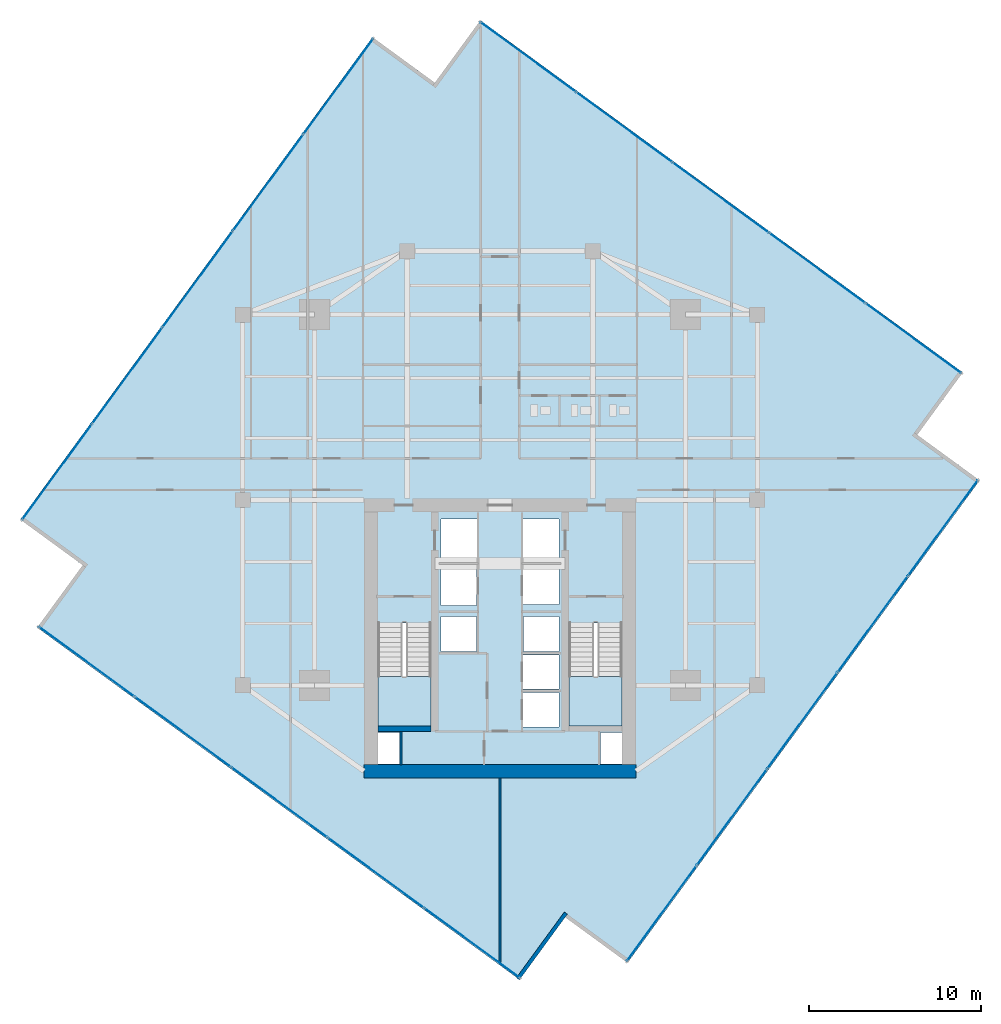
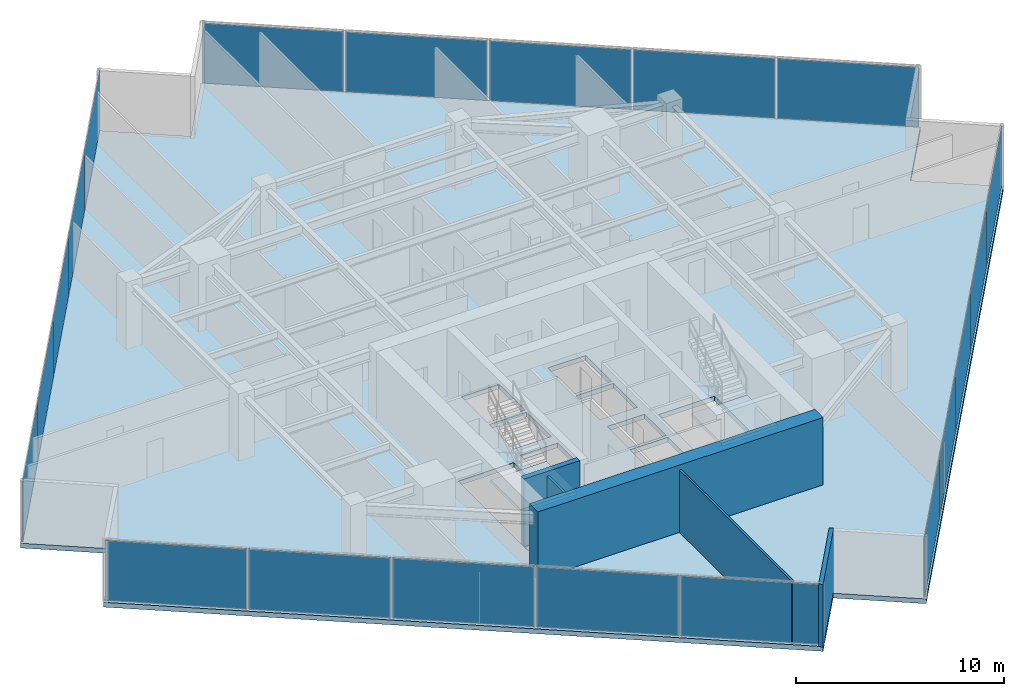
# One storey, part 20 of 25: 20 plates, 5 walls, 3 slabs, 6 elements without a shape of their own.
"""IFC4 building model written with IfcOpenShell, lengths in metres."""

from ifc_helpers import new_model, si_unit, direction, frame, frame_2d, origin, origin_2d, place, context, subcontext, project, spatial, polyline, rectangle, outline, extrude, source, transform, mapped, material, layer, layer_set, type_object, type_shapes, element, aggregate, save


model = new_model("IFC4")

# Units and contexts
model_context = context("Model", 3, precision=1e-05, world=origin(), true_north=direction((0.0, 1.0)))
body_context = subcontext(model_context, "Body", "Model", "MODEL_VIEW")
ifc_project = project(units=[si_unit("LENGTHUNIT", "METRE"), si_unit("AREAUNIT", "SQUARE_METRE"), si_unit("VOLUMEUNIT", "CUBIC_METRE"), si_unit("PLANEANGLEUNIT", "RADIAN"), si_unit("MASSUNIT", "GRAM", prefix="KILO")], contexts=[model_context])

# Site, building, storey
site_placement = place(None, origin())
site = spatial("IfcSite", under=ifc_project, at=site_placement, CompositionType="ELEMENT")
building_placement = place(site_placement, origin())
building = spatial("IfcBuilding", under=site, at=building_placement, Name="Krantzveldt Concourse Tower", CompositionType="ELEMENT")
storey_placement = place(building_placement, frame((0.0, 0.0, 193.60009765625)))
storey = spatial("IfcBuildingStorey", under=building, at=storey_placement, Name="L47", CompositionType="ELEMENT", Elevation=193.60009765625)

# Stair, slab
ifc_material_1 = material(Name="Precast concrete C40/50", Category="concrete")
stair_type = type_object("IfcStairType", Name="STR-CORE-DOGLEG", PredefinedType="HALF_TURN_STAIR", material=ifc_material_1)
stair_1_placement = place(storey_placement, origin())
stair_1 = element("IfcStair", 1, at=stair_1_placement, inside=storey, type_object=stair_type, Name="L47 Protected Escape Stair ST-1", PredefinedType="HALF_TURN_STAIR")
ifc_layer_1 = layer(ifc_material_1, 0.199951171875, Name="Precast concrete C40/50", Category="concrete")
ifc_layer_set_1 = layer_set([ifc_layer_1], Name="Precast concrete C40/50 (SL-LANDING-200)")
slab_type_1 = type_object("IfcSlabType", Name="SL-LANDING-200", PredefinedType="LANDING", material=ifc_layer_set_1)
slab_1_placement = place(storey_placement, frame((0.0, 0.0, 1.77490234375)))
slab_1 = element("IfcSlab", 2, at=slab_1_placement, type_object=slab_type_1, Name="ST-1 landing 1", PredefinedType="LANDING", context=body_context, shape_type="SweptSolid", body=[
    extrude(outline(polyline([(28.8798828125, 16.4150390625), (28.8798828125, 13.52001953125), (31.97998046875, 13.52001953125), (31.97998046875, 16.4150390625), (28.8798828125, 16.4150390625)])), origin(), (0.0, 0.0, 1.0), 0.199951171875),
])
aggregate(stair_1, [slab_1])

stair_2_placement = place(storey_placement, origin())
stair_2 = element("IfcStair", 3, at=stair_2_placement, inside=storey, type_object=stair_type, Name="L47 Protected Escape Stair ST-2", PredefinedType="HALF_TURN_STAIR")
slab_2_placement = place(storey_placement, frame((0.0, 0.0, 1.77490234375)))
slab_2 = element("IfcSlab", 4, at=slab_2_placement, type_object=slab_type_1, Name="ST-2 landing 1", PredefinedType="LANDING", context=body_context, shape_type="SweptSolid", body=[
    extrude(outline(polyline([(40.02001953125, 16.4150390625), (40.02001953125, 13.52001953125), (43.1201171875, 13.52001953125), (43.1201171875, 16.4150390625), (40.02001953125, 16.4150390625)])), origin(), (0.0, 0.0, 1.0), 0.199951171875),
])
aggregate(stair_2, [slab_2])

# Slab
ifc_material_2 = material(Name="Concrete C40/50", Category="concrete")
ifc_layer_2 = layer(ifc_material_2, 0.280029296875, Name="Concrete C40/50", Category="concrete")
ifc_layer_set_2 = layer_set([ifc_layer_2], Name="Concrete C40/50 (SL-SL-TWR280)")
slab_type_2 = type_object("IfcSlabType", Name="SL-SL-TWR280", PredefinedType="FLOOR", material=ifc_layer_set_2)
slab_3_placement = place(storey_placement, frame((0.0, 0.0, -0.280029296875)))
element("IfcSlab", 5, at=slab_3_placement, inside=storey, type_object=slab_type_2, Name="SL-L47-MAIN", PredefinedType="FLOOR", context=body_context, shape_type="SweptSolid", body=[
    extrude(outline(polyline([(32.20361328125, 51.0126953125), (28.56884765625, 53.665771484375), (8.052490234375, 25.556640625), (11.687255859375, 22.903564453125), (9.034423828125, 19.268798828125), (37.143310546875, -1.24755859375), (39.79638671875, 2.38720703125), (43.43115234375, -0.265625), (63.947509765625, 27.843505859375), (60.312744140625, 30.496337890625), (62.965576171875, 34.131103515625), (34.856689453125, 54.6474609375), (32.20361328125, 51.0126953125)]), holes=[polyline([(28.8798828125, 19.547607421875), (28.8798828125, 13.52001953125), (31.97998046875, 13.52001953125), (31.97998046875, 19.547607421875), (28.8798828125, 19.547607421875)]), polyline([(40.02001953125, 19.547607421875), (40.02001953125, 13.52001953125), (43.1201171875, 13.52001953125), (43.1201171875, 19.547607421875), (40.02001953125, 19.547607421875)]), polyline([(32.550048828125, 23.10009765625), (34.64990234375, 23.10009765625), (34.64990234375, 25.60009765625), (32.550048828125, 25.60009765625), (32.550048828125, 23.10009765625)]), polyline([(37.35009765625, 23.10009765625), (39.449951171875, 23.10009765625), (39.449951171875, 25.60009765625), (37.35009765625, 25.60009765625), (37.35009765625, 23.10009765625)]), polyline([(37.35009765625, 20.60009765625), (39.449951171875, 20.60009765625), (39.449951171875, 22.89990234375), (37.35009765625, 22.89990234375), (37.35009765625, 20.60009765625)]), polyline([(37.35009765625, 13.47998046875), (39.449951171875, 13.47998046875), (39.449951171875, 15.47998046875), (37.35009765625, 15.47998046875), (37.35009765625, 13.47998046875)]), polyline([(37.35009765625, 15.679931640625), (39.449951171875, 15.679931640625), (39.449951171875, 17.679931640625), (37.35009765625, 17.679931640625), (37.35009765625, 15.679931640625)]), polyline([(32.550048828125, 20.550048828125), (34.6201171875, 20.550048828125), (34.6201171875, 22.89990234375), (32.550048828125, 22.89990234375), (32.550048828125, 20.550048828125)]), polyline([(32.550048828125, 17.8798828125), (34.6201171875, 17.8798828125), (34.6201171875, 19.919921875), (32.550048828125, 19.919921875), (32.550048828125, 17.8798828125)]), polyline([(37.3798828125, 17.8798828125), (39.449951171875, 17.8798828125), (39.449951171875, 19.919921875), (37.3798828125, 19.919921875), (37.3798828125, 17.8798828125)]), polyline([(28.8798828125, 11.320068359375), (30.139892578125, 11.320068359375), (30.139892578125, 13.159912109375), (28.8798828125, 13.159912109375), (28.8798828125, 11.320068359375)]), polyline([(41.860107421875, 11.320068359375), (43.1201171875, 11.320068359375), (43.1201171875, 13.159912109375), (41.860107421875, 13.159912109375), (41.860107421875, 11.320068359375)])]), origin(), (0.0, 0.0, 1.0), 0.280029296875),
])

# Curtain wall, plates
ifc_material_3 = material(Name="Anodised aluminium 6063-T6", Category="aluminium")
curtain_wall_type = type_object("IfcCurtainWallType", Name="CW3", PredefinedType="USERDEFINED", material=ifc_material_3)
curtain_wall_1_placement = place(storey_placement, origin())
curtain_wall_1 = element("IfcCurtainWall", 6, at=curtain_wall_1_placement, inside=storey, type_object=curtain_wall_type, Name="CW-L47-F01", ObjectType="UNITISED CURTAIN WALL", PredefinedType="USERDEFINED")
ifc_material_4 = material(Name="Bronze-tinted laminated low-E IGU glass", Category="glass")
ifc_layer_3 = layer(ifc_material_4, 0.031982421875, Name="Bronze-tinted laminated low-E IGU glass", Category="glass")
ifc_layer_set_3 = layer_set([ifc_layer_3], Name="Bronze-tinted laminated low-E IGU glass (CW-GLZ-32)")
plate_type = type_object("IfcPlateType", Name="CW-GLZ-32", PredefinedType="CURTAIN_PANEL", material=ifc_layer_set_3)
shared_shape_1 = source(origin(), body_context, "Body", "SweptSolid", [
    extrude(rectangle(XDim=6.85498046875, YDim=0.031982421875, at=origin_2d()), origin(), (0.0, 0.0, 1.0), 3.530029296875),
])
plate_1_placement = place(storey_placement, frame((26.57958984375, 50.78759765625, 0.06982421875), z_axis=(0.0, 0.0, 1.0), x_axis=(-0.589548833895, -0.807732735781, 0.0)))
plate_1 = element("IfcPlate", 7, at=plate_1_placement, type_object=plate_type, Name="CW-Z34 panel 1.1", PredefinedType="CURTAIN_PANEL", context=body_context, shape_type="MappedRepresentation", body=[
    mapped(shared_shape_1, transform((0.0, 0.0, 0.0), x_axis=(1.0, 0.0, 0.0), y_axis=(0.0, 1.0, 0.0), z_axis=(0.0, 0.0, 1.0), scale=1.0)),
])
plate_2_placement = place(storey_placement, frame((10.187255859375, 28.32861328125, 0.06982421875), z_axis=(0.0, 0.0, 1.0), x_axis=(-0.589548833895, -0.807732735781, 0.0)))
plate_2 = element("IfcPlate", 8, at=plate_2_placement, type_object=plate_type, Name="CW-Z34 panel 5.1", PredefinedType="CURTAIN_PANEL", context=body_context, shape_type="MappedRepresentation", body=[
    mapped(shared_shape_1, transform((0.0, 0.0, 0.0), x_axis=(1.0, 0.0, 0.0), y_axis=(0.0, 1.0, 0.0), z_axis=(0.0, 0.0, 1.0), scale=1.0)),
])

curtain_wall_2_placement = place(storey_placement, origin())
curtain_wall_2 = element("IfcCurtainWall", 9, at=curtain_wall_2_placement, inside=storey, type_object=curtain_wall_type, Name="CW-L47-F04", ObjectType="UNITISED CURTAIN WALL", PredefinedType="USERDEFINED")
plate_3_placement = place(storey_placement, frame((11.912353515625, 17.279541015625, 0.06982421875), z_axis=(0.0, 0.0, 1.0), x_axis=(0.807732735781, -0.589548833895, 0.0)))
plate_3 = element("IfcPlate", 10, at=plate_3_placement, type_object=plate_type, Name="CW-Z34 panel 1.1", PredefinedType="CURTAIN_PANEL", context=body_context, shape_type="MappedRepresentation", body=[
    mapped(shared_shape_1, transform((0.0, 0.0, 0.0), x_axis=(1.0, 0.0, 0.0), y_axis=(0.0, 1.0, 0.0), z_axis=(0.0, 0.0, 1.0), scale=1.0)),
])
plate_4_placement = place(storey_placement, frame((34.371337890625, 0.88720703125, 0.06982421875), z_axis=(0.0, 0.0, 1.0), x_axis=(0.807732735781, -0.589548833895, 0.0)))
plate_4 = element("IfcPlate", 11, at=plate_4_placement, type_object=plate_type, Name="CW-Z34 panel 5.1", PredefinedType="CURTAIN_PANEL", context=body_context, shape_type="MappedRepresentation", body=[
    mapped(shared_shape_1, transform((0.0, 0.0, 0.0), x_axis=(1.0, 0.0, 0.0), y_axis=(0.0, 1.0, 0.0), z_axis=(0.0, 0.0, 1.0), scale=1.0)),
])

curtain_wall_3_placement = place(storey_placement, origin())
curtain_wall_3 = element("IfcCurtainWall", 12, at=curtain_wall_3_placement, inside=storey, type_object=curtain_wall_type, Name="CW-L47-F07", ObjectType="UNITISED CURTAIN WALL", PredefinedType="USERDEFINED")
plate_5_placement = place(storey_placement, frame((45.42041015625, 2.612548828125, 0.06982421875), z_axis=(0.0, 0.0, 1.0), x_axis=(0.589548833895, 0.807732735781, 0.0)))
plate_5 = element("IfcPlate", 13, at=plate_5_placement, type_object=plate_type, Name="CW-Z34 panel 1.1", PredefinedType="CURTAIN_PANEL", context=body_context, shape_type="MappedRepresentation", body=[
    mapped(shared_shape_1, transform((0.0, 0.0, 0.0), x_axis=(1.0, 0.0, 0.0), y_axis=(0.0, 1.0, 0.0), z_axis=(0.0, 0.0, 1.0), scale=1.0)),
])
plate_6_placement = place(storey_placement, frame((61.812744140625, 25.071533203125, 0.06982421875), z_axis=(0.0, 0.0, 1.0), x_axis=(0.589548833895, 0.807732735781, 0.0)))
plate_6 = element("IfcPlate", 14, at=plate_6_placement, type_object=plate_type, Name="CW-Z34 panel 5.1", PredefinedType="CURTAIN_PANEL", context=body_context, shape_type="MappedRepresentation", body=[
    mapped(shared_shape_1, transform((0.0, 0.0, 0.0), x_axis=(1.0, 0.0, 0.0), y_axis=(0.0, 1.0, 0.0), z_axis=(0.0, 0.0, 1.0), scale=1.0)),
])

curtain_wall_4_placement = place(storey_placement, origin())
curtain_wall_4 = element("IfcCurtainWall", 15, at=curtain_wall_4_placement, inside=storey, type_object=curtain_wall_type, Name="CW-L47-F10", ObjectType="UNITISED CURTAIN WALL", PredefinedType="USERDEFINED")
plate_7_placement = place(storey_placement, frame((60.087646484375, 36.120361328125, 0.06982421875), z_axis=(0.0, 0.0, 1.0), x_axis=(-0.807732735781, 0.589548833895, 0.0)))
plate_7 = element("IfcPlate", 16, at=plate_7_placement, type_object=plate_type, Name="CW-Z34 panel 1.1", PredefinedType="CURTAIN_PANEL", context=body_context, shape_type="MappedRepresentation", body=[
    mapped(shared_shape_1, transform((0.0, 0.0, 0.0), x_axis=(1.0, 0.0, 0.0), y_axis=(0.0, 1.0, 0.0), z_axis=(0.0, 0.0, 1.0), scale=1.0)),
])
plate_8_placement = place(storey_placement, frame((37.628662109375, 52.512939453125, 0.06982421875), z_axis=(0.0, 0.0, 1.0), x_axis=(-0.807732735781, 0.589548833895, 0.0)))
plate_8 = element("IfcPlate", 17, at=plate_8_placement, type_object=plate_type, Name="CW-Z34 panel 5.1", PredefinedType="CURTAIN_PANEL", context=body_context, shape_type="MappedRepresentation", body=[
    mapped(shared_shape_1, transform((0.0, 0.0, 0.0), x_axis=(1.0, 0.0, 0.0), y_axis=(0.0, 1.0, 0.0), z_axis=(0.0, 0.0, 1.0), scale=1.0)),
])

# Plate
shared_shape_2 = source(origin(), body_context, "Body", "SweptSolid", [
    extrude(rectangle(XDim=6.889892578125, YDim=0.031982421875, at=origin_2d()), origin(), (0.0, 0.0, 1.0), 3.530029296875),
])
type_shapes(plate_type, [shared_shape_1, shared_shape_2])
plate_9_placement = place(storey_placement, frame((22.486572265625, 45.179931640625, 0.06982421875), z_axis=(0.0, 0.0, 1.0), x_axis=(-0.589548833895, -0.807732735781, 0.0)))
plate_9 = element("IfcPlate", 18, at=plate_9_placement, type_object=plate_type, Name="CW-Z34 panel 2.1", PredefinedType="CURTAIN_PANEL", context=body_context, shape_type="MappedRepresentation", body=[
    mapped(shared_shape_2, transform((0.0, 0.0, 0.0), x_axis=(1.0, 0.0, 0.0), y_axis=(0.0, 1.0, 0.0), z_axis=(0.0, 0.0, 1.0), scale=1.0)),
])

plate_10_placement = place(storey_placement, frame((18.38330078125, 39.55810546875, 0.06982421875), z_axis=(0.0, 0.0, 1.0), x_axis=(-0.589548833895, -0.807732735781, 0.0)))
plate_10 = element("IfcPlate", 19, at=plate_10_placement, type_object=plate_type, Name="CW-Z34 panel 3.1", PredefinedType="CURTAIN_PANEL", context=body_context, shape_type="MappedRepresentation", body=[
    mapped(shared_shape_2, transform((0.0, 0.0, 0.0), x_axis=(1.0, 0.0, 0.0), y_axis=(0.0, 1.0, 0.0), z_axis=(0.0, 0.0, 1.0), scale=1.0)),
])

plate_11_placement = place(storey_placement, frame((14.280029296875, 33.936279296875, 0.06982421875), z_axis=(0.0, 0.0, 1.0), x_axis=(-0.589548833895, -0.807732735781, 0.0)))
plate_11 = element("IfcPlate", 20, at=plate_11_placement, type_object=plate_type, Name="CW-Z34 panel 4.1", PredefinedType="CURTAIN_PANEL", context=body_context, shape_type="MappedRepresentation", body=[
    mapped(shared_shape_2, transform((0.0, 0.0, 0.0), x_axis=(1.0, 0.0, 0.0), y_axis=(0.0, 1.0, 0.0), z_axis=(0.0, 0.0, 1.0), scale=1.0)),
])

aggregate(curtain_wall_1, [plate_1, plate_9, plate_10, plate_11, plate_2])

plate_12_placement = place(storey_placement, frame((17.52001953125, 13.1865234375, 0.06982421875), z_axis=(0.0, 0.0, 1.0), x_axis=(0.807732735781, -0.589548833895, 0.0)))
plate_12 = element("IfcPlate", 21, at=plate_12_placement, type_object=plate_type, Name="CW-Z34 panel 2.1", PredefinedType="CURTAIN_PANEL", context=body_context, shape_type="MappedRepresentation", body=[
    mapped(shared_shape_2, transform((0.0, 0.0, 0.0), x_axis=(1.0, 0.0, 0.0), y_axis=(0.0, 1.0, 0.0), z_axis=(0.0, 0.0, 1.0), scale=1.0)),
])

plate_13_placement = place(storey_placement, frame((23.141845703125, 9.083251953125, 0.06982421875), z_axis=(0.0, 0.0, 1.0), x_axis=(0.807732735781, -0.589548833895, 0.0)))
plate_13 = element("IfcPlate", 22, at=plate_13_placement, type_object=plate_type, Name="CW-Z34 panel 3.1", PredefinedType="CURTAIN_PANEL", context=body_context, shape_type="MappedRepresentation", body=[
    mapped(shared_shape_2, transform((0.0, 0.0, 0.0), x_axis=(1.0, 0.0, 0.0), y_axis=(0.0, 1.0, 0.0), z_axis=(0.0, 0.0, 1.0), scale=1.0)),
])

plate_14_placement = place(storey_placement, frame((28.763671875, 4.97998046875, 0.06982421875), z_axis=(0.0, 0.0, 1.0), x_axis=(0.807732735781, -0.589548833895, 0.0)))
plate_14 = element("IfcPlate", 23, at=plate_14_placement, type_object=plate_type, Name="CW-Z34 panel 4.1", PredefinedType="CURTAIN_PANEL", context=body_context, shape_type="MappedRepresentation", body=[
    mapped(shared_shape_2, transform((0.0, 0.0, 0.0), x_axis=(1.0, 0.0, 0.0), y_axis=(0.0, 1.0, 0.0), z_axis=(0.0, 0.0, 1.0), scale=1.0)),
])

aggregate(curtain_wall_2, [plate_3, plate_12, plate_13, plate_14, plate_4])

plate_15_placement = place(storey_placement, frame((49.513427734375, 8.22021484375, 0.06982421875), z_axis=(0.0, 0.0, 1.0), x_axis=(0.589548833895, 0.807732735781, 0.0)))
plate_15 = element("IfcPlate", 24, at=plate_15_placement, type_object=plate_type, Name="CW-Z34 panel 2.1", PredefinedType="CURTAIN_PANEL", context=body_context, shape_type="MappedRepresentation", body=[
    mapped(shared_shape_2, transform((0.0, 0.0, 0.0), x_axis=(1.0, 0.0, 0.0), y_axis=(0.0, 1.0, 0.0), z_axis=(0.0, 0.0, 1.0), scale=1.0)),
])

plate_16_placement = place(storey_placement, frame((53.61669921875, 13.842041015625, 0.06982421875), z_axis=(0.0, 0.0, 1.0), x_axis=(0.589548833895, 0.807732735781, 0.0)))
plate_16 = element("IfcPlate", 25, at=plate_16_placement, type_object=plate_type, Name="CW-Z34 panel 3.1", PredefinedType="CURTAIN_PANEL", context=body_context, shape_type="MappedRepresentation", body=[
    mapped(shared_shape_2, transform((0.0, 0.0, 0.0), x_axis=(1.0, 0.0, 0.0), y_axis=(0.0, 1.0, 0.0), z_axis=(0.0, 0.0, 1.0), scale=1.0)),
])

plate_17_placement = place(storey_placement, frame((57.719970703125, 19.4638671875, 0.06982421875), z_axis=(0.0, 0.0, 1.0), x_axis=(0.589548833895, 0.807732735781, 0.0)))
plate_17 = element("IfcPlate", 26, at=plate_17_placement, type_object=plate_type, Name="CW-Z34 panel 4.1", PredefinedType="CURTAIN_PANEL", context=body_context, shape_type="MappedRepresentation", body=[
    mapped(shared_shape_2, transform((0.0, 0.0, 0.0), x_axis=(1.0, 0.0, 0.0), y_axis=(0.0, 1.0, 0.0), z_axis=(0.0, 0.0, 1.0), scale=1.0)),
])

aggregate(curtain_wall_3, [plate_5, plate_15, plate_16, plate_17, plate_6])

plate_18_placement = place(storey_placement, frame((54.47998046875, 40.21337890625, 0.06982421875), z_axis=(0.0, 0.0, 1.0), x_axis=(-0.807732735781, 0.589548833895, 0.0)))
plate_18 = element("IfcPlate", 27, at=plate_18_placement, type_object=plate_type, Name="CW-Z34 panel 2.1", PredefinedType="CURTAIN_PANEL", context=body_context, shape_type="MappedRepresentation", body=[
    mapped(shared_shape_2, transform((0.0, 0.0, 0.0), x_axis=(1.0, 0.0, 0.0), y_axis=(0.0, 1.0, 0.0), z_axis=(0.0, 0.0, 1.0), scale=1.0)),
])

plate_19_placement = place(storey_placement, frame((48.858154296875, 44.316650390625, 0.06982421875), z_axis=(0.0, 0.0, 1.0), x_axis=(-0.807732735781, 0.589548833895, 0.0)))
plate_19 = element("IfcPlate", 28, at=plate_19_placement, type_object=plate_type, Name="CW-Z34 panel 3.1", PredefinedType="CURTAIN_PANEL", context=body_context, shape_type="MappedRepresentation", body=[
    mapped(shared_shape_2, transform((0.0, 0.0, 0.0), x_axis=(1.0, 0.0, 0.0), y_axis=(0.0, 1.0, 0.0), z_axis=(0.0, 0.0, 1.0), scale=1.0)),
])

plate_20_placement = place(storey_placement, frame((43.236328125, 48.419921875, 0.06982421875), z_axis=(0.0, 0.0, 1.0), x_axis=(-0.807732735781, 0.589548833895, 0.0)))
plate_20 = element("IfcPlate", 29, at=plate_20_placement, type_object=plate_type, Name="CW-Z34 panel 4.1", PredefinedType="CURTAIN_PANEL", context=body_context, shape_type="MappedRepresentation", body=[
    mapped(shared_shape_2, transform((0.0, 0.0, 0.0), x_axis=(1.0, 0.0, 0.0), y_axis=(0.0, 1.0, 0.0), z_axis=(0.0, 0.0, 1.0), scale=1.0)),
])

aggregate(curtain_wall_4, [plate_7, plate_18, plate_19, plate_20, plate_8])

# Walls
ifc_layer_4 = layer(ifc_material_3, 0.219970703125, Name="Anodised aluminium 6063-T6", Category="aluminium")
ifc_layer_set_4 = layer_set([ifc_layer_4], Name="Anodised aluminium 6063-T6 (WL-EXT-NOTCH220)")
wall_type_1 = type_object("IfcWallType", Name="WL-EXT-NOTCH220", PredefinedType="ELEMENTEDWALL", material=ifc_layer_set_4)
wall_1_placement = place(storey_placement, frame((37.039794921875, -1.202880859375, 0.0), z_axis=(0.0, 0.0, 1.0), x_axis=(0.589535308044, 0.807742607871, 0.0)))
element("IfcWall", 30, at=wall_1_placement, inside=storey, type_object=wall_type_1, Name="EW-L47-NCH05", PredefinedType="ELEMENTEDWALL", context=body_context, shape_type="SweptSolid", body=[
    extrude(rectangle(XDim=4.7451171875, YDim=0.219970703125, at=frame_2d((2.37255859375, 0.0))), origin(), (0.0, 0.0, 1.0), 3.669921875),
])
ifc_material_5 = material(Name="Fire-rated gypsum plasterboard on steel stud", Category="steel")
ifc_layer_5 = layer(ifc_material_5, 0.1201171875, Name="Fire-rated gypsum plasterboard on steel stud", Category="steel")
ifc_layer_set_5 = layer_set([ifc_layer_5], Name="Fire-rated gypsum plasterboard on steel stud (WL-PART-120)")
wall_type_2 = type_object("IfcWallType", Name="WL-PART-120", PredefinedType="PARTITIONING", material=ifc_layer_set_5)
wall_2_placement = place(storey_placement, frame((36.0, -0.301513671875, 0.0), z_axis=(0.0, 0.0, 1.0), x_axis=(0.0, 1.0, 0.0)))
element("IfcWall", 31, at=wall_2_placement, inside=storey, type_object=wall_type_2, Name="WP-L47-SMID", PredefinedType="PARTITIONING", context=body_context, shape_type="SweptSolid", body=[
    extrude(rectangle(XDim=10.801513671875, YDim=0.1201171875, at=frame_2d((5.40087890625, 0.0))), origin(), (0.0, 0.0, 1.0), 3.669921875),
])
ifc_layer_6 = layer(ifc_material_5, 0.139892578125, Name="Fire-rated gypsum plasterboard on steel stud", Category="steel")
ifc_layer_set_6 = layer_set([ifc_layer_6], Name="Fire-rated gypsum plasterboard on steel stud (WL-PART-FR140)")
wall_type_3 = type_object("IfcWallType", Name="WL-PART-FR140", PredefinedType="PARTITIONING", material=ifc_layer_set_6)
wall_3_placement = place(storey_placement, frame((30.219970703125, 11.25, 0.0), z_axis=(0.0, 0.0, 1.0), x_axis=(0.0, 1.0, 0.0)))
element("IfcWall", 32, at=wall_3_placement, inside=storey, type_object=wall_type_3, Name="WP-L47-RSW", PredefinedType="PARTITIONING", context=body_context, shape_type="SweptSolid", body=[
    extrude(rectangle(XDim=1.969970703125, YDim=0.1201171875, at=frame_2d((0.98486328125, 0.0))), origin(), (0.0, 0.0, 1.0), 3.669921875),
])
ifc_material_6 = material(Name="Concrete C50/60", Category="concrete")
ifc_layer_7 = layer(ifc_material_6, 0.300048828125, Name="Concrete C50/60", Category="concrete")
ifc_layer_set_7 = layer_set([ifc_layer_7], Name="Concrete C50/60 (WL-SHEAR-300)")
wall_type_4 = type_object("IfcWallType", Name="WL-SHEAR-300", PredefinedType="SHEAR", material=ifc_layer_set_7)
wall_4_placement = place(storey_placement, frame((28.8798828125, 13.3701171875, 0.0), z_axis=(0.0, 0.0, 1.0), x_axis=(1.0, 0.0, 0.0)))
element("IfcWall", 33, at=wall_4_placement, inside=storey, type_object=wall_type_4, Name="CW-L47-ST1S", PredefinedType="SHEAR", context=body_context, shape_type="SweptSolid", body=[
    extrude(rectangle(XDim=3.10009765625, YDim=0.300048828125, at=frame_2d((1.550048828125, 0.0))), origin(), (0.0, 0.0, 1.0), 3.949951171875),
])
ifc_material_7 = material(Name="Concrete C60/75", Category="concrete")
ifc_layer_8 = layer(ifc_material_7, 0.800048828125, Name="Concrete C60/75", Category="concrete")
ifc_layer_set_8 = layer_set([ifc_layer_8], Name="Concrete C60/75 (WL-SHEAR-800)")
wall_type_5 = type_object("IfcWallType", Name="WL-SHEAR-800", PredefinedType="SHEAR", material=ifc_layer_set_8)
wall_5_placement = place(storey_placement, frame((28.080078125, 10.89990234375, 0.0), z_axis=(0.0, 0.0, 1.0), x_axis=(1.0, 0.0, 0.0)))
element("IfcWall", 34, at=wall_5_placement, inside=storey, type_object=wall_type_5, Name="CW-L47-S", PredefinedType="SHEAR", context=body_context, shape_type="SweptSolid", body=[
    extrude(rectangle(XDim=15.83984375, YDim=0.800048828125, at=frame_2d((7.919921875, 0.0))), origin(), (0.0, 0.0, 1.0), 3.949951171875),
])

save(model, "model.ifc")
